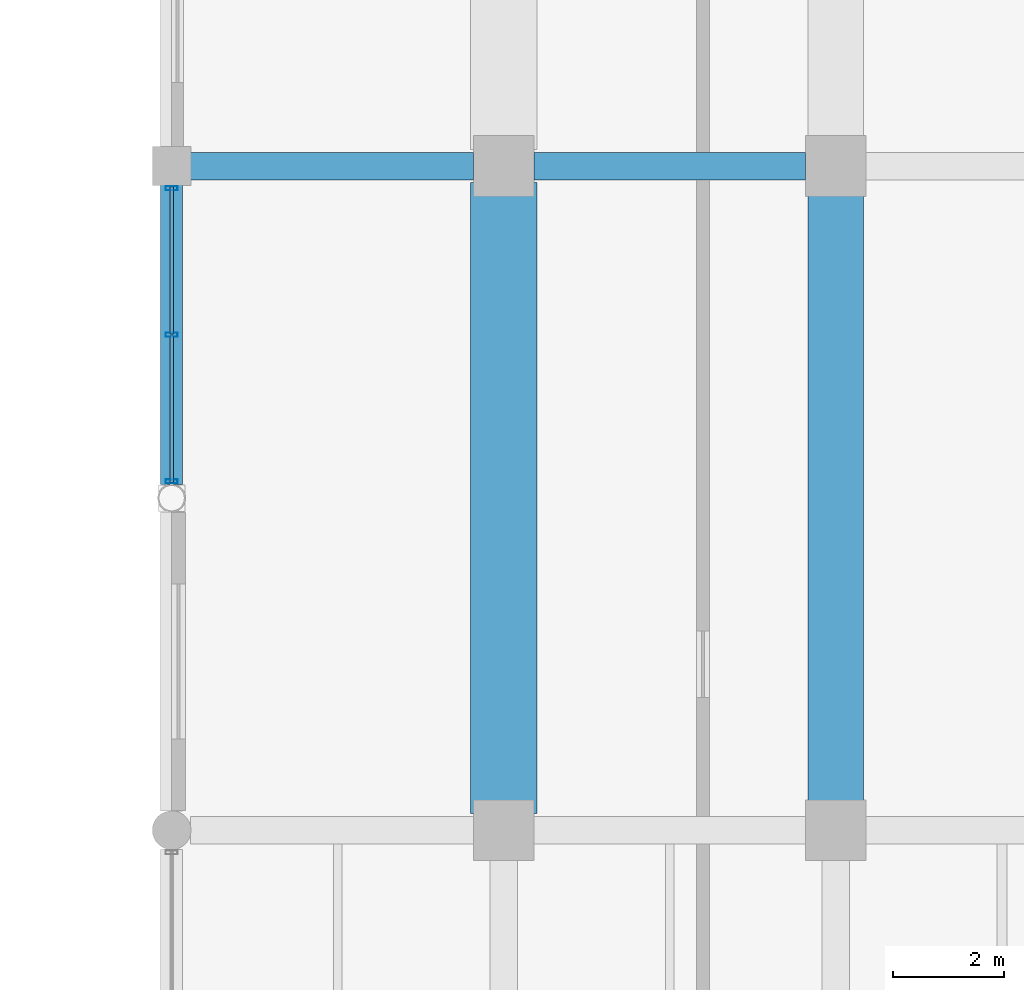
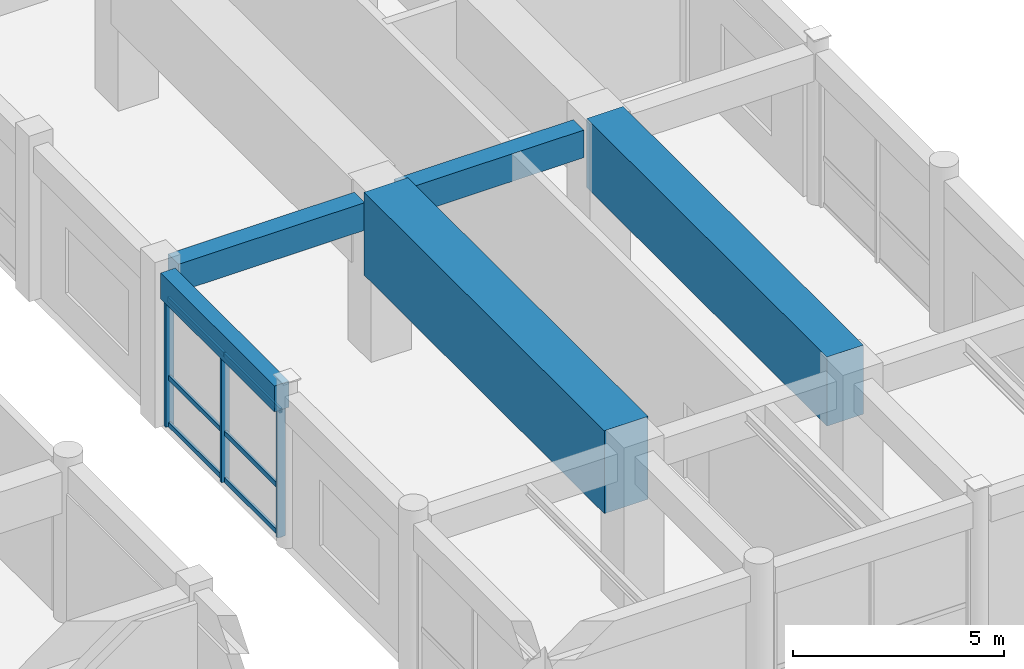
# One storey, part 70 of 123: 9 members, 5 beams, 1 element without a shape of its own.
"""IFC4 building model written with IfcOpenShell, lengths in metres."""

from ifc_helpers import new_model, si_unit, direction, frame, origin, origin_2d, place, context, subcontext, project, spatial, rectangle, hollow_rectangle, extrude, material, material_profile, profile_set, type_object, element, aggregate, save


model = new_model("IFC4")

# Units and contexts
model_context = context("Model", 3, precision=1e-05, world=origin(), true_north=direction((0.0, 1.0)))
body_context = subcontext(model_context, "Body", "Model", "MODEL_VIEW")
ifc_project = project(units=[si_unit("LENGTHUNIT", "METRE"), si_unit("AREAUNIT", "SQUARE_METRE"), si_unit("VOLUMEUNIT", "CUBIC_METRE"), si_unit("PLANEANGLEUNIT", "RADIAN"), si_unit("MASSUNIT", "GRAM", prefix="KILO"), si_unit("THERMODYNAMICTEMPERATUREUNIT", "KELVIN"), si_unit("POWERUNIT", "WATT")], contexts=[model_context])

# Site, building, storey
site_placement = place(None, origin())
site = spatial("IfcSite", under=ifc_project, at=site_placement, CompositionType="ELEMENT")
building_placement = place(site_placement, origin())
building = spatial("IfcBuilding", under=site, at=building_placement, Name="Phaisarnlok Congress Hotel", CompositionType="ELEMENT")
storey_placement = place(building_placement, frame((0.0, 0.0, 15.0)))
storey = spatial("IfcBuildingStorey", under=building, at=storey_placement, Name="L03", CompositionType="ELEMENT", Elevation=15.0)

# Beams
ifc_material_1 = material(Name="Concrete C40/50", Category="concrete")
ifc_material_profile_1 = material_profile(ifc_material_1, rectangle(XDim=0.5, YDim=0.800048828125, at=origin_2d()), Name="RC 500x800")
ifc_profile_set_1 = profile_set([ifc_material_profile_1], Name="Concrete C40/50")
beam_type_1 = type_object("IfcBeamType", Name="BM-RC-500x800", PredefinedType="BEAM", material=ifc_profile_set_1)
beam_1_placement = place(storey_placement, frame((162.344970703125, 54.0, 4.050048828125), z_axis=(1.0, 0.0, 0.0), x_axis=(0.0, 1.0, 0.0)))
element("IfcBeam", 1, at=beam_1_placement, inside=storey, type_object=beam_type_1, Name="Beam B-04", PredefinedType="BEAM", context=body_context, shape_type="SweptSolid", body=[
    extrude(rectangle(XDim=0.5, YDim=0.800048828125, at=origin_2d()), origin(), (0.0, 0.0, 1.0), 5.110107421875),
])
beam_2_placement = place(storey_placement, frame((168.544921875, 54.0, 4.050048828125), z_axis=(1.0, 0.0, 0.0), x_axis=(0.0, 1.0, 0.0)))
element("IfcBeam", 2, at=beam_2_placement, inside=storey, type_object=beam_type_1, Name="Beam B-04", PredefinedType="BEAM", context=body_context, shape_type="SweptSolid", body=[
    extrude(rectangle(XDim=0.5, YDim=0.800048828125, at=origin_2d()), origin(), (0.0, 0.0, 1.0), 4.91015625),
])

# Curtain wall, members
ifc_material_2 = material(Name="Thermally Broken Unitised Aluminium & Low-E Glazing", Category="aluminium")
curtain_wall_type = type_object("IfcCurtainWallType", Name="CW-UNIT-31", PredefinedType="NOTDEFINED", material=ifc_material_2)
curtain_wall_placement = place(storey_placement, origin())
curtain_wall = element("IfcCurtainWall", 3, at=curtain_wall_placement, inside=storey, type_object=curtain_wall_type, Name="Unitised curtain wall CW-31 (L03)", PredefinedType="NOTDEFINED")
ifc_material_3 = material(Name="Anodised Aluminium Alloy 6063-T6", Category="aluminium")
ifc_material_profile_2 = material_profile(ifc_material_3, hollow_rectangle(XDim=0.074951171875, YDim=0.219970703125, WallThickness=0.0048828125, at=origin_2d()), Name="ALU-M 75x220x5")
ifc_profile_set_2 = profile_set([ifc_material_profile_2], Name="Anodised Aluminium Alloy 6063-T6")
member_type_1 = type_object("IfcMemberType", Name="CWM-220", PredefinedType="MULLION", material=ifc_profile_set_2)
member_1_placement = place(storey_placement, frame((162.0, 53.60009765625, 0.0), z_axis=(0.0, 0.0, 1.0), x_axis=(0.0, -1.0, 0.0)))
member_1 = element("IfcMember", 4, at=member_1_placement, type_object=member_type_1, Name="Curtain wall mullion CWM-02", PredefinedType="MULLION", context=body_context, shape_type="SweptSolid", body=[
    extrude(hollow_rectangle(XDim=0.074951171875, YDim=0.219970703125, WallThickness=0.0048828125, at=origin_2d()), origin(), (0.0, 0.0, 1.0), 3.699951171875),
])
member_2_placement = place(storey_placement, frame((162.0, 50.951904296875, 0.0), z_axis=(0.0, 0.0, 1.0), x_axis=(0.0, -1.0, 0.0)))
member_2 = element("IfcMember", 5, at=member_2_placement, type_object=member_type_1, Name="Curtain wall mullion CWM-02", PredefinedType="MULLION", context=body_context, shape_type="SweptSolid", body=[
    extrude(hollow_rectangle(XDim=0.074951171875, YDim=0.219970703125, WallThickness=0.0048828125, at=origin_2d()), origin(), (0.0, 0.0, 1.0), 3.699951171875),
])
member_3_placement = place(storey_placement, frame((162.0, 48.303955078125, 0.0), z_axis=(0.0, 0.0, 1.0), x_axis=(0.0, -1.0, 0.0)))
member_3 = element("IfcMember", 6, at=member_3_placement, type_object=member_type_1, Name="Curtain wall mullion CWM-02", PredefinedType="MULLION", context=body_context, shape_type="SweptSolid", body=[
    extrude(hollow_rectangle(XDim=0.074951171875, YDim=0.219970703125, WallThickness=0.0048828125, at=origin_2d()), origin(), (0.0, 0.0, 1.0), 3.699951171875),
])
ifc_material_profile_3 = material_profile(ifc_material_3, hollow_rectangle(XDim=0.06494140625, YDim=0.139892578125, WallThickness=0.00390625, at=origin_2d()), Name="ALU-T 65x140x4")
ifc_profile_set_3 = profile_set([ifc_material_profile_3], Name="Anodised Aluminium Alloy 6063-T6")
member_type_2 = type_object("IfcMemberType", Name="CWT-150", PredefinedType="USERDEFINED", material=ifc_profile_set_3)
member_4_placement = place(storey_placement, frame((162.0, 53.625, 0.050048828125), z_axis=(0.0, -1.0, 0.0), x_axis=(1.0, 0.0, 0.0)))
member_4 = element("IfcMember", 7, at=member_4_placement, type_object=member_type_2, Name="Curtain wall transom CWT-01", ObjectType="TRANSOM", PredefinedType="USERDEFINED", context=body_context, shape_type="SweptSolid", body=[
    extrude(hollow_rectangle(XDim=0.06494140625, YDim=0.139892578125, WallThickness=0.00390625, at=origin_2d()), origin(), (0.0, 0.0, 1.0), 2.657958984375),
])
member_5_placement = place(storey_placement, frame((162.0, 53.625, 1.406005859375), z_axis=(0.0, -1.0, 0.0), x_axis=(1.0, 0.0, 0.0)))
member_5 = element("IfcMember", 8, at=member_5_placement, type_object=member_type_2, Name="Curtain wall transom CWT-01", ObjectType="TRANSOM", PredefinedType="USERDEFINED", context=body_context, shape_type="SweptSolid", body=[
    extrude(hollow_rectangle(XDim=0.06494140625, YDim=0.139892578125, WallThickness=0.00390625, at=origin_2d()), origin(), (0.0, 0.0, 1.0), 2.657958984375),
])
member_6_placement = place(storey_placement, frame((162.0, 53.625, 3.64990234375), z_axis=(0.0, -1.0, 0.0), x_axis=(1.0, 0.0, 0.0)))
member_6 = element("IfcMember", 9, at=member_6_placement, type_object=member_type_2, Name="Curtain wall transom CWT-01", ObjectType="TRANSOM", PredefinedType="USERDEFINED", context=body_context, shape_type="SweptSolid", body=[
    extrude(hollow_rectangle(XDim=0.06494140625, YDim=0.139892578125, WallThickness=0.00390625, at=origin_2d()), origin(), (0.0, 0.0, 1.0), 2.657958984375),
])
member_7_placement = place(storey_placement, frame((162.0, 50.93701171875, 0.050048828125), z_axis=(0.0, -1.0, 0.0), x_axis=(1.0, 0.0, 0.0)))
member_7 = element("IfcMember", 10, at=member_7_placement, type_object=member_type_2, Name="Curtain wall transom CWT-01", ObjectType="TRANSOM", PredefinedType="USERDEFINED", context=body_context, shape_type="SweptSolid", body=[
    extrude(hollow_rectangle(XDim=0.06494140625, YDim=0.139892578125, WallThickness=0.00390625, at=origin_2d()), origin(), (0.0, 0.0, 1.0), 2.657958984375),
])
member_8_placement = place(storey_placement, frame((162.0, 50.93701171875, 1.406005859375), z_axis=(0.0, -1.0, 0.0), x_axis=(1.0, 0.0, 0.0)))
member_8 = element("IfcMember", 11, at=member_8_placement, type_object=member_type_2, Name="Curtain wall transom CWT-01", ObjectType="TRANSOM", PredefinedType="USERDEFINED", context=body_context, shape_type="SweptSolid", body=[
    extrude(hollow_rectangle(XDim=0.06494140625, YDim=0.139892578125, WallThickness=0.00390625, at=origin_2d()), origin(), (0.0, 0.0, 1.0), 2.657958984375),
])
member_9_placement = place(storey_placement, frame((162.0, 50.93701171875, 3.64990234375), z_axis=(0.0, -1.0, 0.0), x_axis=(1.0, 0.0, 0.0)))
member_9 = element("IfcMember", 12, at=member_9_placement, type_object=member_type_2, Name="Curtain wall transom CWT-01", ObjectType="TRANSOM", PredefinedType="USERDEFINED", context=body_context, shape_type="SweptSolid", body=[
    extrude(hollow_rectangle(XDim=0.06494140625, YDim=0.139892578125, WallThickness=0.00390625, at=origin_2d()), origin(), (0.0, 0.0, 1.0), 2.657958984375),
])
aggregate(curtain_wall, [member_1, member_2, member_3, member_4, member_5, member_6, member_7, member_8, member_9])

# Beams
ifc_material_profile_4 = material_profile(ifc_material_1, rectangle(XDim=0.39990234375, YDim=0.75, at=origin_2d()), Name="RC 400x750")
ifc_profile_set_4 = profile_set([ifc_material_profile_4], Name="Concrete C40/50")
beam_type_2 = type_object("IfcBeamType", Name="SP-RC-400x750", PredefinedType="SPANDREL", material=ifc_profile_set_4)
beam_3_placement = place(storey_placement, frame((162.0, 48.2490234375, 4.074951171875), z_axis=(0.0, 1.0, 0.0), x_axis=(-1.0, 0.0, 0.0)))
element("IfcBeam", 13, at=beam_3_placement, inside=storey, type_object=beam_type_2, Name="Beam SP-02", PredefinedType="SPANDREL", context=body_context, shape_type="SweptSolid", body=[
    extrude(rectangle(XDim=0.39990234375, YDim=0.75, at=origin_2d()), origin(), (0.0, 0.0, 1.0), 5.406005859375),
])
ifc_material_4 = material(Name="Concrete C50/60", Category="concrete")
ifc_material_profile_5 = material_profile(ifc_material_4, rectangle(XDim=1.0, YDim=2.0, at=origin_2d()), Name="RC 1000x2000")
ifc_profile_set_5 = profile_set([ifc_material_profile_5], Name="Concrete C50/60")
beam_type_3 = type_object("IfcBeamType", Name="TG-RC-1000x2000", PredefinedType="BEAM", material=ifc_profile_set_5)
beam_4_placement = place(storey_placement, frame((174.0, 42.300048828125, 3.800048828125), z_axis=(0.0, 1.0, 0.0), x_axis=(-1.0, 0.0, 0.0)))
element("IfcBeam", 14, at=beam_4_placement, inside=storey, type_object=beam_type_3, Name="Transfer girder TG-01 supporting hotel wing", PredefinedType="BEAM", context=body_context, shape_type="SweptSolid", body=[
    extrude(rectangle(XDim=1.0, YDim=2.0, at=origin_2d()), origin(), (0.0, 0.0, 1.0), 11.39990234375),
])
ifc_material_profile_6 = material_profile(ifc_material_4, rectangle(XDim=1.199951171875, YDim=2.39990234375, at=origin_2d()), Name="RC 1200x2400")
ifc_profile_set_6 = profile_set([ifc_material_profile_6], Name="Concrete C50/60")
beam_type_4 = type_object("IfcBeamType", Name="TG-RC-1200x2400", PredefinedType="BEAM", material=ifc_profile_set_6)
beam_5_placement = place(storey_placement, frame((168.0, 42.300048828125, 3.60009765625), z_axis=(0.0, 1.0, 0.0), x_axis=(-1.0, 0.0, 0.0)))
element("IfcBeam", 15, at=beam_5_placement, inside=storey, type_object=beam_type_4, Name="Transfer girder TG-02 supporting hotel wing", PredefinedType="BEAM", context=body_context, shape_type="SweptSolid", body=[
    extrude(rectangle(XDim=1.199951171875, YDim=2.39990234375, at=origin_2d()), origin(), (0.0, 0.0, 1.0), 11.39990234375),
])

save(model, "model.ifc")
